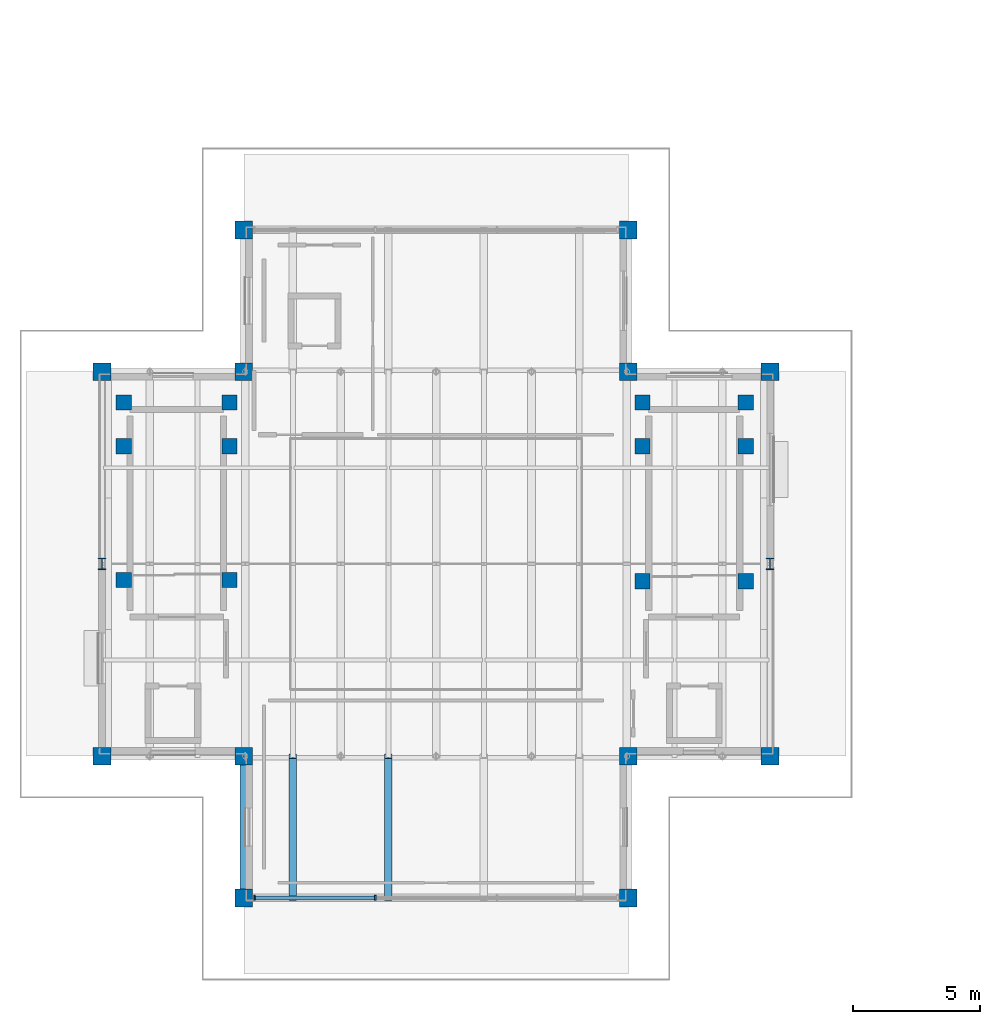
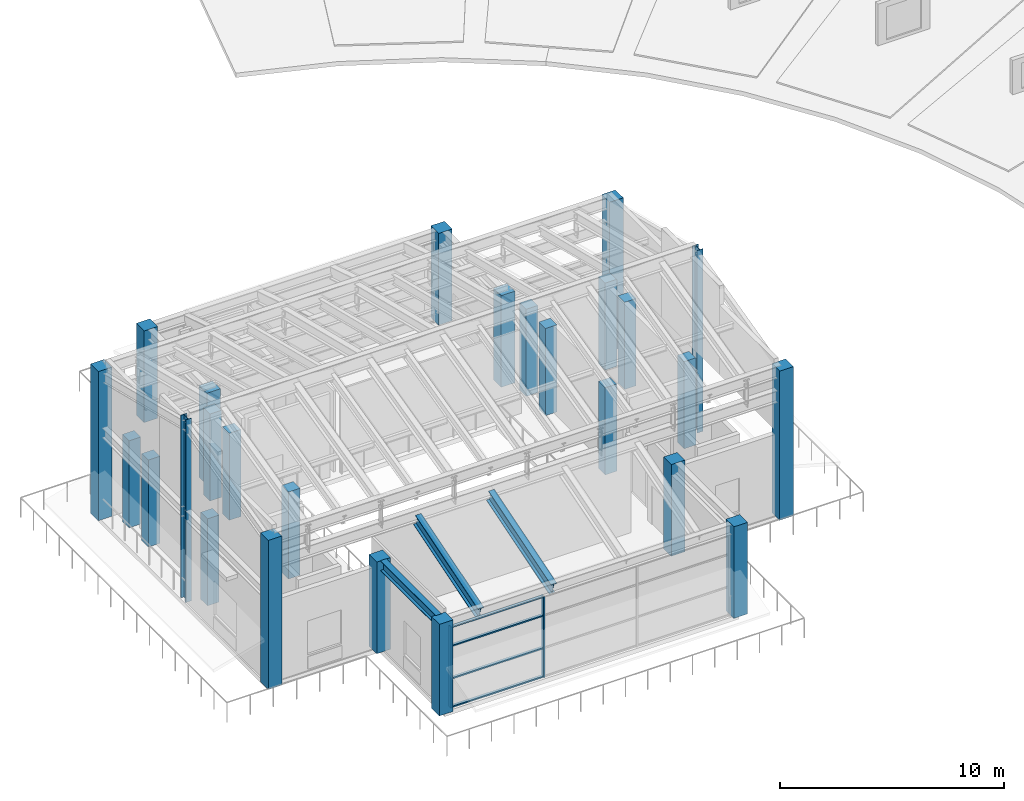
# One storey, part 1 of 11: 26 columns, 8 members, 1 beam, 1 element without a shape of its own.
"""IFC4 building model written with IfcOpenShell, lengths in metres."""

from ifc_helpers import new_model, si_unit, direction, frame, origin, origin_2d, place, context, subcontext, project, spatial, rectangle, i_section, extrude, material, material_profile, profile_set, type_object, element, aggregate, save


model = new_model("IFC4")

# Units and contexts
model_context = context("Model", 3, precision=1e-05, world=origin(), true_north=direction((0.0, 1.0)))
body_context = subcontext(model_context, "Body", "Model", "MODEL_VIEW")
ifc_project = project(units=[si_unit("LENGTHUNIT", "METRE"), si_unit("AREAUNIT", "SQUARE_METRE"), si_unit("VOLUMEUNIT", "CUBIC_METRE"), si_unit("PLANEANGLEUNIT", "RADIAN"), si_unit("MASSUNIT", "GRAM", prefix="KILO")], contexts=[model_context])

# Site, building, storey
site_placement = place(None, origin())
site = spatial("IfcSite", under=ifc_project, at=site_placement, CompositionType="ELEMENT")
building_placement = place(site_placement, origin())
building = spatial("IfcBuilding", under=site, at=building_placement, Name="Saryqyr Civic Hall", CompositionType="ELEMENT")
storey_placement = place(building_placement, frame((0.0, 0.0, 29.39990234375)))
storey = spatial("IfcBuildingStorey", under=building, at=storey_placement, Name="L07", CompositionType="ELEMENT", Elevation=29.39990234375)

# Columns
ifc_material_1 = material(Name="Steel S355", Category="steel")
ifc_material_profile_1 = material_profile(ifc_material_1, i_section(OverallWidth=0.300048828125, OverallDepth=0.449951171875, WebThickness=0.013916015625, FlangeThickness=0.02587890625, at=origin_2d()), Name="HEB 450")
ifc_profile_set_1 = profile_set([ifc_material_profile_1], Name="Steel S355")
column_type_1 = type_object("IfcColumnType", Name="STR-COL-HEB450-S355", PredefinedType="COLUMN", material=ifc_profile_set_1)
for number, where, z_axis, x_axis, name in (
    (1, (43.800048828125, 84.0, 0.0), (0.0, 0.0, 1.0), (1.0, 0.0, 0.0), "Column V1-GCOL-W-L07"),
    (2, (70.199951171875, 84.0, 0.0), (0.0, 0.0, 1.0), (1.0, 0.0, 0.0), "Column V1-GCOL-E-L07"),
):
    element("IfcColumn", number, at=place(storey_placement, frame(where, z_axis=z_axis, x_axis=x_axis)), inside=storey, type_object=column_type_1, Name=name, PredefinedType="COLUMN", context=body_context, shape_type="SweptSolid", body=[
        extrude(i_section(OverallWidth=0.300048828125, OverallDepth=0.449951171875, WebThickness=0.013916015625, FlangeThickness=0.02587890625, at=origin_2d()), origin(), (0.0, 0.0, 1.0), 9.960205078125),
    ])
ifc_material_2 = material(Name="Concrete C40/50", Category="concrete")
ifc_material_profile_2 = material_profile(ifc_material_2, rectangle(XDim=0.60009765625, YDim=0.60009765625, at=origin_2d()), Name="RC 600x600")
ifc_profile_set_2 = profile_set([ifc_material_profile_2], Name="Concrete C40/50")
column_type_2 = type_object("IfcColumnType", Name="STR-COL-RC600-C40", PredefinedType="COLUMN", material=ifc_profile_set_2)
for number, where, z_axis, x_axis, name in (
    (3, (48.840087890625, 83.364990234375, 0.0), (0.0, 0.0, 1.0), (1.0, 0.0, 0.0), "Column ST-1-SCOL-TRMA-L07"),
    (4, (44.659912109375, 83.364990234375, 0.0), (0.0, 0.0, 1.0), (1.0, 0.0, 0.0), "Column ST-1-SCOL-TRMB-L07"),
    (5, (48.840087890625, 88.64990234375, 0.0), (0.0, 0.0, 1.0), (1.0, 0.0, 0.0), "Column ST-1-SCOL-LND1A-L07"),
    (6, (44.659912109375, 88.64990234375, 0.0), (0.0, 0.0, 1.0), (1.0, 0.0, 0.0), "Column ST-1-SCOL-LND1B-L07"),
    (7, (48.840087890625, 90.3798828125, 0.0), (0.0, 0.0, 1.0), (1.0, 0.0, 0.0), "Column ST-1-SCOL-LND2A-L07"),
    (8, (44.659912109375, 90.3798828125, 0.0), (0.0, 0.0, 1.0), (1.0, 0.0, 0.0), "Column ST-1-SCOL-LND2B-L07"),
    (9, (69.239990234375, 83.31494140625, 0.0), (0.0, 0.0, 1.0), (1.0, 0.0, 0.0), "Column ST-2-SCOL-TRMA-L07"),
    (10, (65.159912109375, 83.31494140625, 0.0), (0.0, 0.0, 1.0), (1.0, 0.0, 0.0), "Column ST-2-SCOL-TRMB-L07"),
    (11, (69.239990234375, 88.64990234375, 0.0), (0.0, 0.0, 1.0), (1.0, 0.0, 0.0), "Column ST-2-SCOL-LND1A-L07"),
    (12, (65.159912109375, 88.64990234375, 0.0), (0.0, 0.0, 1.0), (1.0, 0.0, 0.0), "Column ST-2-SCOL-LND1B-L07"),
    (13, (69.239990234375, 90.3798828125, 0.0), (0.0, 0.0, 1.0), (1.0, 0.0, 0.0), "Column ST-2-SCOL-LND2A-L07"),
    (14, (65.159912109375, 90.3798828125, 0.0), (0.0, 0.0, 1.0), (1.0, 0.0, 0.0), "Column ST-2-SCOL-LND2B-L07"),
):
    element("IfcColumn", number, at=place(storey_placement, frame(where, z_axis=z_axis, x_axis=x_axis)), inside=storey, type_object=column_type_2, Name=name, PredefinedType="COLUMN", context=body_context, shape_type="SweptSolid", body=[
        extrude(rectangle(XDim=0.60009765625, YDim=0.60009765625, at=origin_2d()), origin(), (0.0, 0.0, 1.0), 4.75),
    ])
ifc_material_profile_3 = material_profile(ifc_material_2, rectangle(XDim=0.699951171875, YDim=0.699951171875, at=origin_2d()), Name="RC 700x700")
ifc_profile_set_3 = profile_set([ifc_material_profile_3], Name="Concrete C40/50")
column_type_3 = type_object("IfcColumnType", Name="STR-COL-RC700-C40", PredefinedType="COLUMN", material=ifc_profile_set_3)
for number, where, z_axis, x_axis, name in (
    (15, (43.800048828125, 76.39990234375, 0.0), (0.0, 0.0, 1.0), (1.0, 0.0, 0.0), "Column V1-COL-C12-L07"),
    (16, (43.800048828125, 91.60009765625, 0.0), (0.0, 0.0, 1.0), (1.0, 0.0, 0.0), "Column V1-COL-C13-L07"),
):
    element("IfcColumn", number, at=place(storey_placement, frame(where, z_axis=z_axis, x_axis=x_axis)), inside=storey, type_object=column_type_3, Name=name, PredefinedType="COLUMN", context=body_context, shape_type="SweptSolid", body=[
        extrude(rectangle(XDim=0.699951171875, YDim=0.699951171875, at=origin_2d()), origin(), (0.0, 0.0, 1.0), 8.14013671875),
    ])
for number, where, z_axis, x_axis, name in (
    (17, (49.39990234375, 70.800048828125, 0.0), (0.0, 0.0, 1.0), (1.0, 0.0, 0.0), "Column V1-COL-C21-L07"),
    (18, (49.39990234375, 76.39990234375, 0.0), (0.0, 0.0, 1.0), (1.0, 0.0, 0.0), "Column V1-COL-C22-L07"),
    (19, (49.39990234375, 91.60009765625, 0.0), (0.0, 0.0, 1.0), (1.0, 0.0, 0.0), "Column V1-COL-C23-L07"),
    (20, (49.39990234375, 97.199951171875, 0.0), (0.0, 0.0, 1.0), (1.0, 0.0, 0.0), "Column V1-COL-C24-L07"),
    (21, (64.60009765625, 70.800048828125, 0.0), (0.0, 0.0, 1.0), (1.0, 0.0, 0.0), "Column V1-COL-C31-L07"),
    (22, (64.60009765625, 76.39990234375, 0.0), (0.0, 0.0, 1.0), (1.0, 0.0, 0.0), "Column V1-COL-C32-L07"),
    (23, (64.60009765625, 91.60009765625, 0.0), (0.0, 0.0, 1.0), (1.0, 0.0, 0.0), "Column V1-COL-C33-L07"),
    (24, (64.60009765625, 97.199951171875, 0.0), (0.0, 0.0, 1.0), (1.0, 0.0, 0.0), "Column V1-COL-C34-L07"),
):
    element("IfcColumn", number, at=place(storey_placement, frame(where, z_axis=z_axis, x_axis=x_axis)), inside=storey, type_object=column_type_3, Name=name, PredefinedType="COLUMN", context=body_context, shape_type="SweptSolid", body=[
        extrude(rectangle(XDim=0.699951171875, YDim=0.699951171875, at=origin_2d()), origin(), (0.0, 0.0, 1.0), 5.0),
    ])
for number, where, z_axis, x_axis, name in (
    (25, (70.199951171875, 76.39990234375, 0.0), (0.0, 0.0, 1.0), (1.0, 0.0, 0.0), "Column V1-COL-C42-L07"),
    (26, (70.199951171875, 91.60009765625, 0.0), (0.0, 0.0, 1.0), (1.0, 0.0, 0.0), "Column V1-COL-C43-L07"),
):
    element("IfcColumn", number, at=place(storey_placement, frame(where, z_axis=z_axis, x_axis=x_axis)), inside=storey, type_object=column_type_3, Name=name, PredefinedType="COLUMN", context=body_context, shape_type="SweptSolid", body=[
        extrude(rectangle(XDim=0.699951171875, YDim=0.699951171875, at=origin_2d()), origin(), (0.0, 0.0, 1.0), 8.14013671875),
    ])

# Curtain wall, members
ifc_material_3 = material(Name="Anodised aluminium and triple low-E glass", Category="aluminium")
curtain_wall_type = type_object("IfcCurtainWallType", Name="ENV-CW-HVY-50", PredefinedType="NOTDEFINED", material=ifc_material_3)
curtain_wall_placement = place(storey_placement, origin())
curtain_wall = element("IfcCurtainWall", 27, at=curtain_wall_placement, inside=storey, type_object=curtain_wall_type, Name="Curtain wall V1-CW-L07-11", PredefinedType="NOTDEFINED")
ifc_material_4 = material(Name="Anodised aluminium", Category="aluminium")
ifc_material_profile_4 = material_profile(ifc_material_4, rectangle(XDim=0.070068359375, YDim=0.199951171875, at=origin_2d()), Name="ALU MULLION 70x200")
ifc_profile_set_4 = profile_set([ifc_material_profile_4], Name="Anodised aluminium")
member_type_1 = type_object("IfcMemberType", Name="ENV-CW-MUL-220", PredefinedType="MULLION", material=ifc_profile_set_4)
member_1_placement = place(storey_placement, frame((54.5966796875, 70.800048828125, 0.0), z_axis=(0.0, 0.0, 1.0), x_axis=(-1.0, 0.0, 0.0)))
member_1 = element("IfcMember", 28, at=member_1_placement, type_object=member_type_1, Name="CW-50 mullion 3", PredefinedType="MULLION", context=body_context, shape_type="SweptSolid", body=[
    extrude(rectangle(XDim=0.070068359375, YDim=0.199951171875, at=origin_2d()), origin(), (0.0, 0.0, 1.0), 4.425048828125),
])
member_2_placement = place(storey_placement, frame((49.824951171875, 70.800048828125, 0.0), z_axis=(0.0, 0.0, 1.0), x_axis=(-1.0, 0.0, 0.0)))
member_2 = element("IfcMember", 29, at=member_2_placement, type_object=member_type_1, Name="CW-50 mullion 4", PredefinedType="MULLION", context=body_context, shape_type="SweptSolid", body=[
    extrude(rectangle(XDim=0.070068359375, YDim=0.199951171875, at=origin_2d()), origin(), (0.0, 0.0, 1.0), 4.425048828125),
])
ifc_material_profile_5 = material_profile(ifc_material_4, rectangle(XDim=0.14990234375, YDim=0.070068359375, at=origin_2d()), Name="ALU TRANSOM 150x70")
ifc_profile_set_5 = profile_set([ifc_material_profile_5], Name="Anodised aluminium")
member_type_2 = type_object("IfcMemberType", Name="ENV-CW-TRN-180", PredefinedType="USERDEFINED", material=ifc_profile_set_5)
member_3_placement = place(storey_placement, frame((54.561767578125, 70.800048828125, 0.03515625), z_axis=(-1.0, 0.0, 0.0), x_axis=(0.0, -1.0, 0.0)))
member_3 = element("IfcMember", 30, at=member_3_placement, type_object=member_type_2, Name="CW-50 transom 3.1", ObjectType="TRANSOM", PredefinedType="USERDEFINED", context=body_context, shape_type="SweptSolid", body=[
    extrude(rectangle(XDim=0.14990234375, YDim=0.070068359375, at=origin_2d()), origin(), (0.0, 0.0, 1.0), 4.70166015625),
])
member_4_placement = place(storey_placement, frame((54.561767578125, 70.800048828125, 1.593017578125), z_axis=(-1.0, 0.0, 0.0), x_axis=(0.0, -1.0, 0.0)))
member_4 = element("IfcMember", 31, at=member_4_placement, type_object=member_type_2, Name="CW-50 transom 3.2", ObjectType="TRANSOM", PredefinedType="USERDEFINED", context=body_context, shape_type="SweptSolid", body=[
    extrude(rectangle(XDim=0.14990234375, YDim=0.070068359375, at=origin_2d()), origin(), (0.0, 0.0, 1.0), 4.70166015625),
])
member_5_placement = place(storey_placement, frame((54.561767578125, 70.800048828125, 3.363037109375), z_axis=(-1.0, 0.0, 0.0), x_axis=(0.0, -1.0, 0.0)))
member_5 = element("IfcMember", 32, at=member_5_placement, type_object=member_type_2, Name="CW-50 transom 3.3", ObjectType="TRANSOM", PredefinedType="USERDEFINED", context=body_context, shape_type="SweptSolid", body=[
    extrude(rectangle(XDim=0.14990234375, YDim=0.070068359375, at=origin_2d()), origin(), (0.0, 0.0, 1.0), 4.70166015625),
])
member_6_placement = place(storey_placement, frame((54.561767578125, 70.800048828125, 4.39013671875), z_axis=(-1.0, 0.0, 0.0), x_axis=(0.0, -1.0, 0.0)))
member_6 = element("IfcMember", 33, at=member_6_placement, type_object=member_type_2, Name="CW-50 transom 3.4", ObjectType="TRANSOM", PredefinedType="USERDEFINED", context=body_context, shape_type="SweptSolid", body=[
    extrude(rectangle(XDim=0.14990234375, YDim=0.070068359375, at=origin_2d()), origin(), (0.0, 0.0, 1.0), 4.70166015625),
])
aggregate(curtain_wall, [member_1, member_2, member_3, member_4, member_5, member_6])

# Beam
ifc_material_profile_6 = material_profile(ifc_material_1, i_section(OverallWidth=0.300048828125, OverallDepth=0.550048828125, WebThickness=0.014892578125, FlangeThickness=0.029052734375, at=origin_2d()), Name="HEB 550")
ifc_profile_set_6 = profile_set([ifc_material_profile_6], Name="Steel S355")
beam_type = type_object("IfcBeamType", Name="STR-BM-HEB550", PredefinedType="BEAM", material=ifc_profile_set_6)
beam_placement = place(storey_placement, frame((49.39990234375, 71.125, 4.72509765625), z_axis=(0.0, 1.0, 0.0), x_axis=(-1.0, 0.0, 0.0)))
element("IfcBeam", 34, at=beam_placement, inside=storey, type_object=beam_type, Name="Beam V1-RB34-09", PredefinedType="BEAM", context=body_context, shape_type="SweptSolid", body=[
    extrude(i_section(OverallWidth=0.300048828125, OverallDepth=0.550048828125, WebThickness=0.014892578125, FlangeThickness=0.029052734375, at=origin_2d()), origin(), (0.0, 0.0, 1.0), 4.949951171875),
])

# Members
ifc_material_profile_7 = material_profile(ifc_material_1, i_section(OverallWidth=0.300048828125, OverallDepth=0.64990234375, WebThickness=0.01611328125, FlangeThickness=0.031005859375, at=origin_2d()), Name="HEB 650")
ifc_profile_set_7 = profile_set([ifc_material_profile_7], Name="Steel S355")
member_type_3 = type_object("IfcMemberType", Name="STR-RAF-HEB650", PredefinedType="RAFTER", material=ifc_profile_set_7)
for number, where, z_axis, x_axis, name in (
    (35, (51.343017578125, 70.800048828125, 4.6201171875), (0.0, 0.95592576977, 0.293608451325), (-1.0, 0.0, 0.0), "Chamber folded-plate lower valley rafter S bay 3"),
    (36, (55.1142578125, 70.800048828125, 4.6201171875), (0.0, 0.95592576977, 0.293608451325), (-1.0, 0.0, 0.0), "Chamber folded-plate lower valley rafter S bay 4"),
):
    element("IfcMember", number, at=place(storey_placement, frame(where, z_axis=z_axis, x_axis=x_axis)), inside=storey, type_object=member_type_3, Name=name, PredefinedType="RAFTER", context=body_context, shape_type="SweptSolid", body=[
        extrude(i_section(OverallWidth=0.300048828125, OverallDepth=0.64990234375, WebThickness=0.01611328125, FlangeThickness=0.031005859375, at=origin_2d()), origin(), (0.0, 0.0, 1.0), 5.858154296875),
    ])

save(model, "model.ifc")
